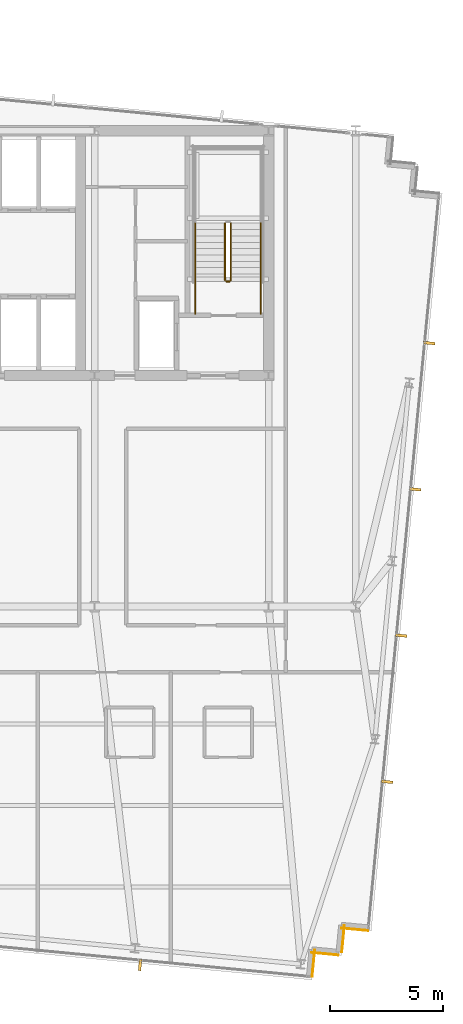
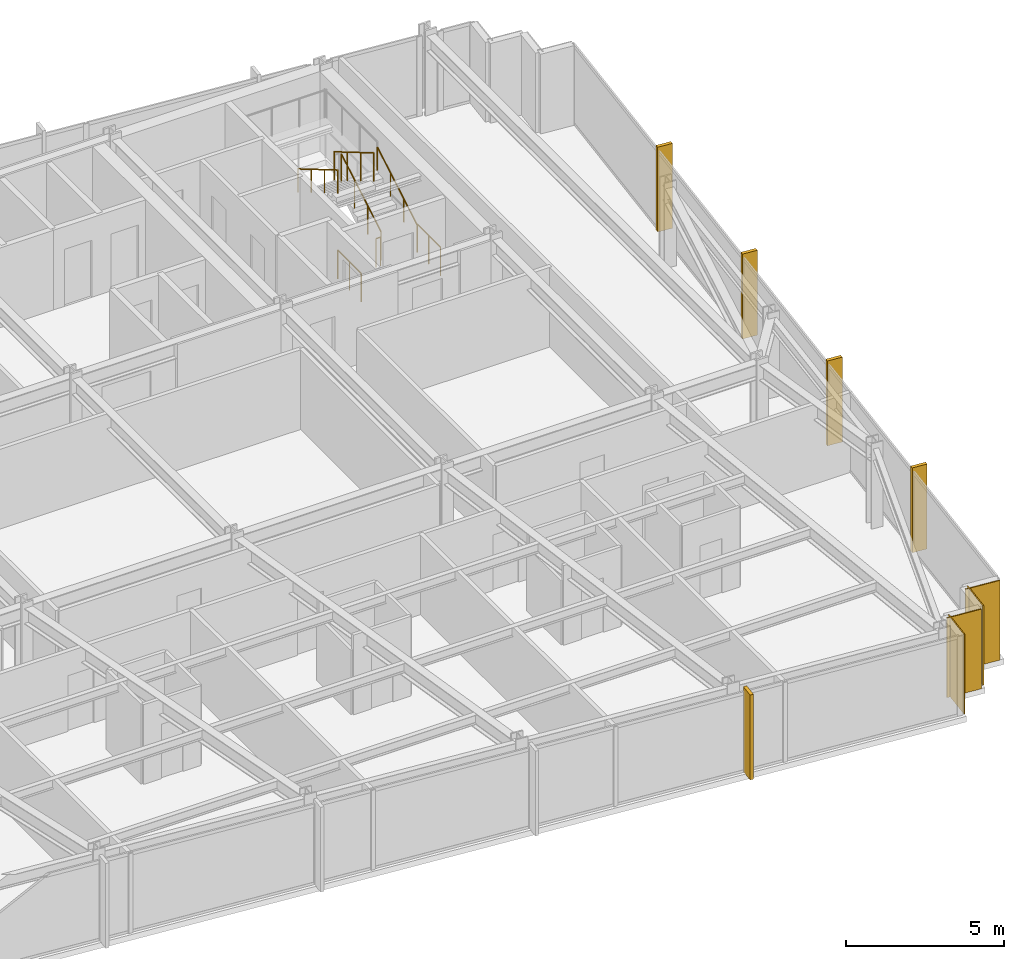
# One storey, part 35 of 37: 7 railings, 5 shading devices, 4 coverings.
"""IFC4 building model written with IfcOpenShell, lengths in metres."""

from ifc_helpers import new_model, si_unit, direction, frame, frame_2d, origin, origin_2d, place, context, subcontext, project, spatial, rectangle, circle, extrude, material, layer, layer_set, type_object, element, save


model = new_model("IFC4")

# Units and contexts
model_context = context("Model", 3, precision=1e-05, world=origin(), true_north=direction((0.0, 1.0)))
body_context = subcontext(model_context, "Body", "Model", "MODEL_VIEW")
ifc_project = project(units=[si_unit("LENGTHUNIT", "METRE"), si_unit("AREAUNIT", "SQUARE_METRE"), si_unit("VOLUMEUNIT", "CUBIC_METRE"), si_unit("PLANEANGLEUNIT", "RADIAN"), si_unit("MASSUNIT", "GRAM", prefix="KILO")], contexts=[model_context])

# Site, building, storey
site_placement = place(None, origin())
site = spatial("IfcSite", under=ifc_project, at=site_placement, CompositionType="ELEMENT")
building_placement = place(site_placement, origin())
building = spatial("IfcBuilding", under=site, at=building_placement, Name="Yelkora Congress Tower", CompositionType="ELEMENT")
storey_placement = place(building_placement, frame((0.0, 0.0, 168.800048828125)))
storey = spatial("IfcBuildingStorey", under=building, at=storey_placement, Name="L46", CompositionType="ELEMENT", Elevation=168.800048828125)

# Coverings
ifc_material_1 = material(Name="Anatolian bush-hammered limestone", Category="masonry")
ifc_layer_1 = layer(ifc_material_1, 0.0400390625)
ifc_layer_set_1 = layer_set([ifc_layer_1], Name="Anatolian bush-hammered limestone")
covering_type = type_object("IfcCoveringType", Name="COV-CLAD-SPANDREL-40", PredefinedType="CLADDING", material=ifc_layer_set_1)
covering_1_placement = place(storey_placement, frame((58.1474609375, 10.898681640625, 0.0), z_axis=(0.0, 0.0, 1.0), x_axis=(-0.995379537303, 0.096018626938, 0.0)))
element("IfcCovering", 1, at=covering_1_placement, inside=storey, type_object=covering_type, Name="L46 Anatolian Limestone Cladding EW-L46-SR16", PredefinedType="CLADDING", context=body_context, shape_type="SweptSolid", body=[
    extrude(rectangle(XDim=1.2001953125, YDim=0.0400390625, at=frame_2d((0.60009765625, 0.0))), origin(), (0.0, 0.0, 1.0), 3.079833984375),
])
covering_2_placement = place(storey_placement, frame((57.10009765625, 11.13525390625, 0.0), z_axis=(0.0, 0.0, 1.0), x_axis=(-0.095836473879, -0.995397091755, 0.0)))
element("IfcCovering", 2, at=covering_2_placement, inside=storey, type_object=covering_type, Name="L46 Anatolian Limestone Cladding EW-L46-SR17", PredefinedType="CLADDING", context=body_context, shape_type="SweptSolid", body=[
    extrude(rectangle(XDim=1.199951171875, YDim=0.0400390625, at=frame_2d((0.60009765625, 0.0))), origin(), (0.0, 0.0, 1.0), 3.079833984375),
])
for number, where, z_axis, x_axis, name in (
    (3, (56.837890625, 9.8193359375, 0.0), (0.0, 0.0, 1.0), (-0.995398960025, 0.095817067274, 0.0), "L46 Anatolian Limestone Cladding EW-L46-SR18"),
    (4, (55.790771484375, 10.055908203125, 0.0), (0.0, 0.0, 1.0), (-0.095817067274, -0.995398960025, 0.0), "L46 Anatolian Limestone Cladding EW-L46-SR19"),
):
    element("IfcCovering", number, at=place(storey_placement, frame(where, z_axis=z_axis, x_axis=x_axis)), inside=storey, type_object=covering_type, Name=name, PredefinedType="CLADDING", context=body_context, shape_type="SweptSolid", body=[
        extrude(rectangle(XDim=1.2001953125, YDim=0.0400390625, at=frame_2d((0.60009765625, 0.0))), origin(), (0.0, 0.0, 1.0), 3.079833984375),
    ])

# Railings
ifc_material_2 = material(Name="Painted galvanised steel stair well guard with vertical infill", Category="steel")
ifc_layer_2 = layer(ifc_material_2, 0.06005859375)
ifc_layer_set_2 = layer_set([ifc_layer_2], Name="Painted galvanised steel stair well guard with vertical infill")
railing_type_1 = type_object("IfcRailingType", Name="RAIL-STAIR-GUARD-1120", PredefinedType="GUARDRAIL", material=ifc_layer_set_2)
railing_1_placement = place(storey_placement, frame((52.090087890625, 39.60009765625, 0.1650390625)))
element("IfcRailing", 5, at=railing_1_placement, inside=storey, type_object=railing_type_1, Name="ST-02 L46 Stair Well Guardrail 1", PredefinedType="GUARDRAIL", context=body_context, shape_type="SweptSolid", body=[
    extrude(circle(Radius=0.02392578125, at=origin_2d()), frame((0.0, 0.0, 1.09619140625), z_axis=(0.0, 0.861560626758, 0.507654692109), x_axis=(-1.0, 0.0, 0.0)), (0.0, 0.0, 1.0), 2.925048828125),
    extrude(circle(Radius=0.02099609375, at=origin_2d()), origin(), (0.0, 0.0, 1.0), 1.072021484375),
    extrude(circle(Radius=0.02099609375, at=origin_2d()), frame((0.0, 0.840087890625, 0.494873046875)), (0.0, 0.0, 1.0), 1.072021484375),
    extrude(circle(Radius=0.02099609375, at=origin_2d()), frame((0.0, 1.679931640625, 0.989990234375)), (0.0, 0.0, 1.0), 1.072021484375),
    extrude(circle(Radius=0.02099609375, at=origin_2d()), frame((0.0, 2.52001953125, 1.48486328125)), (0.0, 0.0, 1.0), 1.072021484375),
])
railing_2_placement = place(storey_placement, frame((51.830078125, 42.1201171875, 1.81494140625)))
element("IfcRailing", 6, at=railing_2_placement, inside=storey, type_object=railing_type_1, Name="ST-02 L46 Stair Well Guardrail 6", PredefinedType="GUARDRAIL", context=body_context, shape_type="SweptSolid", body=[
    extrude(circle(Radius=0.02392578125, at=origin_2d()), frame((0.0, 0.0, 1.09619140625), z_axis=(0.0, -0.86152411907, 0.507716645641), x_axis=(1.0, 0.0, 0.0)), (0.0, 0.0, 1.0), 2.925048828125),
    extrude(circle(Radius=0.02099609375, at=origin_2d()), origin(), (0.0, 0.0, 1.0), 1.072021484375),
    extrude(circle(Radius=0.02099609375, at=origin_2d()), frame((0.0, -0.840087890625, 0.4951171875)), (0.0, 0.0, 1.0), 1.072021484375),
    extrude(circle(Radius=0.02099609375, at=origin_2d()), frame((0.0, -1.679931640625, 0.989990234375)), (0.0, 0.0, 1.0), 1.072021484375),
    extrude(circle(Radius=0.02099609375, at=origin_2d()), frame((0.0, -2.52001953125, 1.485107421875)), (0.0, 0.0, 1.0), 1.072021484375),
])
railing_3_placement = place(storey_placement, frame((52.0400390625, 39.550048828125, 0.0)))
element("IfcRailing", 7, at=railing_3_placement, inside=storey, type_object=railing_type_1, Name="ST-02 L46 Stair Well Guardrail 7", PredefinedType="GUARDRAIL", context=body_context, shape_type="SweptSolid", body=[
    extrude(circle(Radius=0.02392578125, at=origin_2d()), frame((0.0, 0.0, 1.09619140625), z_axis=(-1.0, 0.0, 0.0), x_axis=(0.0, -1.0, 0.0)), (0.0, 0.0, 1.0), 0.16015625),
    extrude(circle(Radius=0.02099609375, at=origin_2d()), origin(), (0.0, 0.0, 1.0), 1.072021484375),
    extrude(circle(Radius=0.02099609375, at=origin_2d()), frame((-0.16015625, 0.0, 0.0)), (0.0, 0.0, 1.0), 1.072021484375),
])
for number, where, name in (
    (8, (53.409912109375, 38.1201171875, 0.0), "ST-02 L46 Stair Well Guardrail 8"),
    (9, (50.510009765625, 38.1201171875, 0.0), "ST-02 L46 Stair Well Guardrail 9"),
):
    element("IfcRailing", number, at=place(storey_placement, frame(where)), inside=storey, type_object=railing_type_1, Name=name, PredefinedType="GUARDRAIL", context=body_context, shape_type="SweptSolid", body=[
        extrude(circle(Radius=0.02392578125, at=origin_2d()), frame((0.0, 0.0, 1.09619140625), z_axis=(0.0, 1.0, 0.0), x_axis=(-1.0, 0.0, 0.0)), (0.0, 0.0, 1.0), 1.47998046875),
        extrude(circle(Radius=0.02099609375, at=origin_2d()), origin(), (0.0, 0.0, 1.0), 1.072021484375),
        extrude(circle(Radius=0.02099609375, at=origin_2d()), frame((0.0, 0.739990234375, 0.0)), (0.0, 0.0, 1.0), 1.072021484375),
        extrude(circle(Radius=0.02099609375, at=origin_2d()), frame((0.0, 1.47998046875, 0.0)), (0.0, 0.0, 1.0), 1.072021484375),
    ])
ifc_material_3 = material(Name="Brushed stainless steel tubular handrail", Category="steel")
ifc_layer_3 = layer(ifc_material_3, 0.050048828125)
ifc_layer_set_3 = layer_set([ifc_layer_3], Name="Brushed stainless steel tubular handrail")
railing_type_2 = type_object("IfcRailingType", Name="RAIL-STAIR-HAND-920", PredefinedType="HANDRAIL", material=ifc_layer_set_3)
railing_4_placement = place(storey_placement, frame((53.409912109375, 39.60009765625, 0.1650390625)))
element("IfcRailing", 10, at=railing_4_placement, inside=storey, type_object=railing_type_2, Name="ST-02 L46 Pitch Handrail 1", PredefinedType="HANDRAIL", context=body_context, shape_type="SweptSolid", body=[
    extrude(circle(Radius=0.02392578125, at=origin_2d()), frame((0.0, 0.0, 0.89599609375), z_axis=(0.0, 0.861560626758, 0.507654692109), x_axis=(-1.0, 0.0, 0.0)), (0.0, 0.0, 1.0), 2.925048828125),
    extrude(circle(Radius=0.02099609375, at=origin_2d()), origin(), (0.0, 0.0, 1.0), 0.871826171875),
    extrude(circle(Radius=0.02099609375, at=origin_2d()), frame((0.0, 0.840087890625, 0.494873046875)), (0.0, 0.0, 1.0), 0.871826171875),
    extrude(circle(Radius=0.02099609375, at=origin_2d()), frame((0.0, 1.679931640625, 0.989990234375)), (0.0, 0.0, 1.0), 0.871826171875),
    extrude(circle(Radius=0.02099609375, at=origin_2d()), frame((0.0, 2.52001953125, 1.48486328125)), (0.0, 0.0, 1.0), 0.871826171875),
])
railing_5_placement = place(storey_placement, frame((50.510009765625, 42.1201171875, 1.81494140625)))
element("IfcRailing", 11, at=railing_5_placement, inside=storey, type_object=railing_type_2, Name="ST-02 L46 Pitch Handrail 2", PredefinedType="HANDRAIL", context=body_context, shape_type="SweptSolid", body=[
    extrude(circle(Radius=0.02392578125, at=origin_2d()), frame((0.0, 0.0, 0.89599609375), z_axis=(0.0, -0.86152411907, 0.507716645641), x_axis=(1.0, 0.0, 0.0)), (0.0, 0.0, 1.0), 2.925048828125),
    extrude(circle(Radius=0.02099609375, at=origin_2d()), origin(), (0.0, 0.0, 1.0), 0.871826171875),
    extrude(circle(Radius=0.02099609375, at=origin_2d()), frame((0.0, -0.840087890625, 0.4951171875)), (0.0, 0.0, 1.0), 0.871826171875),
    extrude(circle(Radius=0.02099609375, at=origin_2d()), frame((0.0, -1.679931640625, 0.989990234375)), (0.0, 0.0, 1.0), 0.871826171875),
    extrude(circle(Radius=0.02099609375, at=origin_2d()), frame((0.0, -2.52001953125, 1.485107421875)), (0.0, 0.0, 1.0), 0.871826171875),
])

# Shading devices
ifc_material_4 = material(Name="Champagne anodised aluminium", Category="aluminium")
ifc_layer_4 = layer(ifc_material_4, 3.300048828125)
ifc_layer_set_4 = layer_set([ifc_layer_4], Name="Champagne anodised aluminium")
shading_device_type = type_object("IfcShadingDeviceType", Name="SHD-FIN-ALU-520", PredefinedType="USERDEFINED", material=ifc_layer_set_4)
for number, where, z_axis, x_axis, name in (
    (12, (60.84521484375, 36.83056640625, -0.0302734375), (0.0, 0.0, 1.0), (-0.09584575252, -0.995396198367, 0.0), "L46 Vertical Anodised Solar Fin 15-1"),
    (13, (60.223876953125, 30.37646484375, -0.0302734375), (0.0, 0.0, 1.0), (-0.09584575252, -0.995396198367, 0.0), "L46 Vertical Anodised Solar Fin 15-2"),
    (14, (59.602294921875, 23.92236328125, -0.0302734375), (0.0, 0.0, 1.0), (-0.09584575252, -0.995396198367, 0.0), "L46 Vertical Anodised Solar Fin 15-3"),
    (15, (58.98095703125, 17.46826171875, -0.0302734375), (0.0, 0.0, 1.0), (-0.09584575252, -0.995396198367, 0.0), "L46 Vertical Anodised Solar Fin 15-4"),
    (16, (48.082275390625, 9.3916015625, -0.0302734375), (0.0, 0.0, 1.0), (-0.995396198367, 0.09584575252, 0.0), "L46 Vertical Anodised Solar Fin 20-1"),
):
    element("IfcShadingDevice", number, at=place(storey_placement, frame(where, z_axis=z_axis, x_axis=x_axis)), inside=storey, type_object=shading_device_type, Name=name, ObjectType="FIN", PredefinedType="USERDEFINED", context=body_context, shape_type="SweptSolid", body=[
        extrude(rectangle(XDim=0.1201171875, YDim=0.52001953125, at=origin_2d()), origin(), (0.0, 0.0, 1.0), 3.280029296875),
    ])

save(model, "model.ifc")
